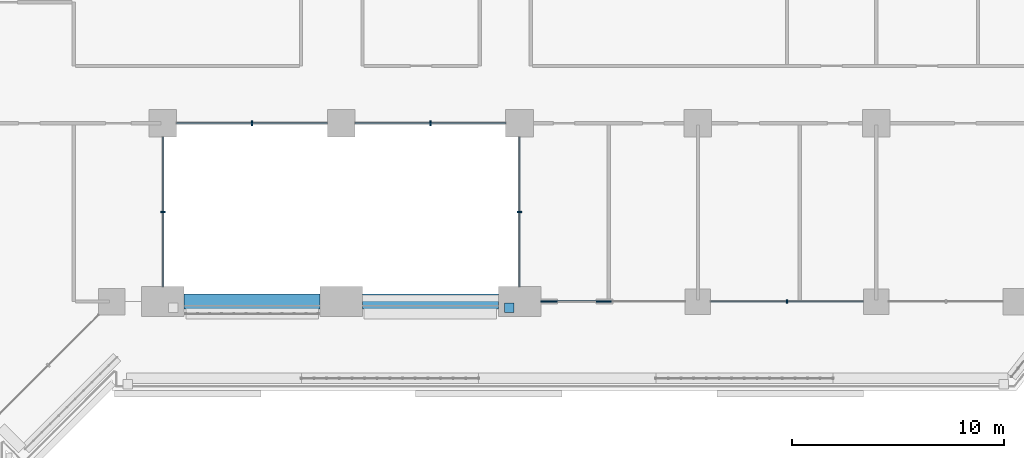
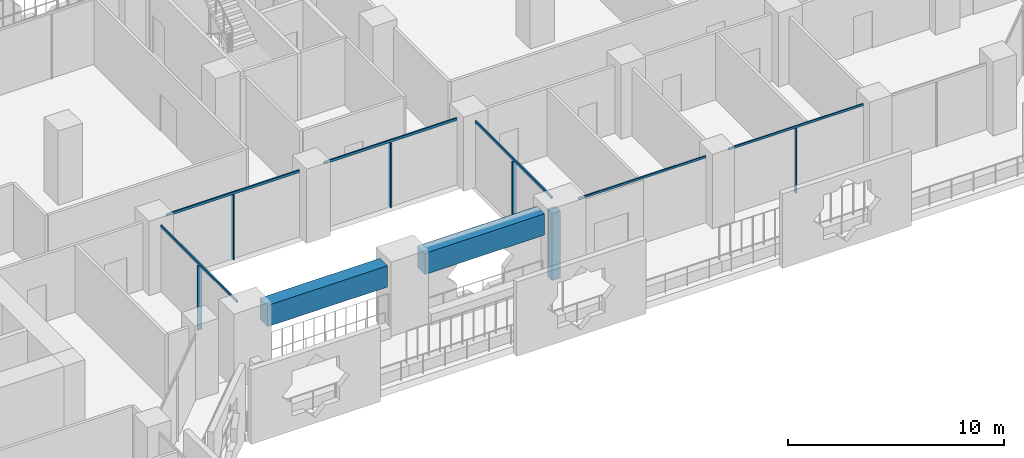
# One storey, part 5 of 28: 12 members, 2 beams, 5 elements without a shape of their own.
"""IFC4 building model written with IfcOpenShell, lengths in metres."""

from ifc_helpers import new_model, si_unit, direction, frame, origin, origin_2d, place, context, subcontext, project, spatial, rectangle, extrude, material, layer, layer_set, material_profile, profile_set, type_object, element, aggregate, save


model = new_model("IFC4")

# Units and contexts
model_context = context("Model", 3, precision=1e-05, world=origin(), true_north=direction((0.0, 1.0)))
body_context = subcontext(model_context, "Body", "Model", "MODEL_VIEW")
ifc_project = project(units=[si_unit("LENGTHUNIT", "METRE"), si_unit("AREAUNIT", "SQUARE_METRE"), si_unit("VOLUMEUNIT", "CUBIC_METRE"), si_unit("PLANEANGLEUNIT", "RADIAN"), si_unit("MASSUNIT", "GRAM", prefix="KILO")], contexts=[model_context])

# Site, building, storey
site_placement = place(None, origin())
site = spatial("IfcSite", under=ifc_project, at=site_placement, CompositionType="ELEMENT")
building_placement = place(site_placement, origin())
building = spatial("IfcBuilding", under=site, at=building_placement, Name="Kawkab Arch Medical Tower", CompositionType="ELEMENT")
storey_placement = place(building_placement, frame((0.0, 0.0, 47.60009765625)))
storey = spatial("IfcBuildingStorey", under=building, at=storey_placement, Name="L10", CompositionType="ELEMENT", Elevation=47.60009765625)

# Curtain wall, members
ifc_material_1 = material(Name="Bronze anodised aluminium curtain wall frame", Category="aluminium")
ifc_layer_1 = layer(ifc_material_1, 0.159912109375)
ifc_layer_set_1 = layer_set([ifc_layer_1], Name="Bronze anodised aluminium curtain wall frame")
curtain_wall_type_1 = type_object("IfcCurtainWallType", Name="CW1 ward curtain wall", PredefinedType="NOTDEFINED", material=ifc_layer_set_1)
placement = place(storey_placement, origin())
curtain_wall_1 = element("IfcCurtainWall", 1, at=placement, inside=storey, type_object=curtain_wall_type_1, Name="CW1 Ward curtain wall R05", PredefinedType="NOTDEFINED")
ifc_material_2 = material(Name="Bronze anodised aluminium curtain wall frame", Category="aluminium")
ifc_material_profile_1 = material_profile(ifc_material_2, rectangle(XDim=0.179931640625, YDim=0.06005859375, at=origin_2d()), Name="AL 60x180")
ifc_profile_set_1 = profile_set([ifc_material_profile_1], Name="Bronze anodised aluminium curtain wall frame")
member_type_1 = type_object("IfcMemberType", Name="CW1 mullion 60 x 180", PredefinedType="MULLION", material=ifc_profile_set_1)
member_1_placement = place(storey_placement, frame((63.0, -25.199951171875, 0.0), z_axis=(0.0, 0.0, 1.0), x_axis=(0.0, 1.0, 0.0)))
member_1 = element("IfcMember", 2, at=member_1_placement, type_object=member_type_1, Name="CW1 mullion 2.1", PredefinedType="MULLION", context=body_context, shape_type="SweptSolid", body=[
    extrude(rectangle(XDim=0.179931640625, YDim=0.06005859375, at=origin_2d()), origin(), (0.0, 0.0, 1.0), 3.659912109375),
])
ifc_material_3 = material(Name="Bronze anodised aluminium curtain wall frame", Category="aluminium")
ifc_material_profile_2 = material_profile(ifc_material_3, rectangle(XDim=0.06005859375, YDim=0.1201171875, at=origin_2d()), Name="AL 60x120")
ifc_profile_set_2 = profile_set([ifc_material_profile_2], Name="Bronze anodised aluminium curtain wall frame")
member_type_2 = type_object("IfcMemberType", Name="CW1 transom 120 x 60", PredefinedType="USERDEFINED", material=ifc_profile_set_2)
member_2_placement = place(storey_placement, frame((51.39990234375, -25.199951171875, 3.719970703125), z_axis=(1.0, 0.0, 0.0), x_axis=(0.0, 1.0, 0.0)))
member_2 = element("IfcMember", 3, at=member_2_placement, type_object=member_type_2, Name="CW1 transom 1", ObjectType="TRANSOM", PredefinedType="USERDEFINED", context=body_context, shape_type="SweptSolid", body=[
    extrude(rectangle(XDim=0.06005859375, YDim=0.1201171875, at=origin_2d()), origin(), (0.0, 0.0, 1.0), 6.800048828125),
])
member_3_placement = place(storey_placement, frame((59.39990234375, -25.199951171875, 3.719970703125), z_axis=(1.0, 0.0, 0.0), x_axis=(0.0, 1.0, 0.0)))
member_3 = element("IfcMember", 4, at=member_3_placement, type_object=member_type_2, Name="CW1 transom 2", ObjectType="TRANSOM", PredefinedType="USERDEFINED", context=body_context, shape_type="SweptSolid", body=[
    extrude(rectangle(XDim=0.06005859375, YDim=0.1201171875, at=origin_2d()), origin(), (0.0, 0.0, 1.0), 7.2001953125),
])
aggregate(curtain_wall_1, [member_2, member_3, member_1])

# Curtain wall, member
ifc_material_4 = material(Name="Bronze anodised aluminium curtain wall frame", Category="aluminium")
ifc_layer_2 = layer(ifc_material_4, 0.159912109375)
ifc_layer_set_2 = layer_set([ifc_layer_2], Name="Bronze anodised aluminium curtain wall frame")
curtain_wall_type_2 = type_object("IfcCurtainWallType", Name="CW3 sky garden curtain wall", PredefinedType="NOTDEFINED", material=ifc_layer_set_2)
curtain_wall_2 = element("IfcCurtainWall", 5, at=placement, inside=storey, type_object=curtain_wall_type_2, Name="CW3 Sky garden curtain wall R02", PredefinedType="NOTDEFINED")
ifc_material_5 = material(Name="Bronze anodised aluminium curtain wall frame", Category="aluminium")
ifc_material_profile_3 = material_profile(ifc_material_5, rectangle(XDim=0.219970703125, YDim=0.070068359375, at=origin_2d()), Name="AL 70x220")
ifc_profile_set_3 = profile_set([ifc_material_profile_3], Name="Bronze anodised aluminium curtain wall frame")
member_type_3 = type_object("IfcMemberType", Name="CW3 mullion 70 x 220", PredefinedType="MULLION", material=ifc_profile_set_3)
member_4_placement = place(storey_placement, frame((33.60009765625, -20.97509765625, 0.0), z_axis=(0.0, 0.0, 1.0), x_axis=(-1.0, 0.0, 0.0)))
member_4 = element("IfcMember", 6, at=member_4_placement, type_object=member_type_3, Name="CW3 mullion 1.1", PredefinedType="MULLION", context=body_context, shape_type="SweptSolid", body=[
    extrude(rectangle(XDim=0.219970703125, YDim=0.070068359375, at=origin_2d()), origin(), (0.0, 0.0, 1.0), 3.639892578125),
])

# Curtain wall, members
curtain_wall_3 = element("IfcCurtainWall", 7, at=placement, inside=storey, type_object=curtain_wall_type_2, Name="CW3 Sky garden curtain wall R03", PredefinedType="NOTDEFINED")
member_5_placement = place(storey_placement, frame((37.800048828125, -16.800048828125, 0.0), z_axis=(0.0, 0.0, 1.0), x_axis=(0.0, 1.0, 0.0)))
member_5 = element("IfcMember", 8, at=member_5_placement, type_object=member_type_3, Name="CW3 mullion 1.1", PredefinedType="MULLION", context=body_context, shape_type="SweptSolid", body=[
    extrude(rectangle(XDim=0.219970703125, YDim=0.070068359375, at=origin_2d()), origin(), (0.0, 0.0, 1.0), 3.639892578125),
])
member_6_placement = place(storey_placement, frame((46.199951171875, -16.800048828125, 0.0), z_axis=(0.0, 0.0, 1.0), x_axis=(0.0, 1.0, 0.0)))
member_6 = element("IfcMember", 9, at=member_6_placement, type_object=member_type_3, Name="CW3 mullion 2.1", PredefinedType="MULLION", context=body_context, shape_type="SweptSolid", body=[
    extrude(rectangle(XDim=0.219970703125, YDim=0.070068359375, at=origin_2d()), origin(), (0.0, 0.0, 1.0), 3.639892578125),
])

# Curtain wall, member
curtain_wall_4 = element("IfcCurtainWall", 10, at=placement, inside=storey, type_object=curtain_wall_type_2, Name="CW3 Sky garden curtain wall R04", PredefinedType="NOTDEFINED")
member_7_placement = place(storey_placement, frame((50.39990234375, -20.97509765625, 0.0), z_axis=(0.0, 0.0, 1.0), x_axis=(1.0, 0.0, 0.0)))
member_7 = element("IfcMember", 11, at=member_7_placement, type_object=member_type_3, Name="CW3 mullion 1.1", PredefinedType="MULLION", context=body_context, shape_type="SweptSolid", body=[
    extrude(rectangle(XDim=0.219970703125, YDim=0.070068359375, at=origin_2d()), origin(), (0.0, 0.0, 1.0), 3.639892578125),
])

# Member
ifc_material_6 = material(Name="Bronze anodised aluminium curtain wall frame", Category="aluminium")
ifc_material_profile_4 = material_profile(ifc_material_6, rectangle(XDim=0.070068359375, YDim=0.139892578125, at=origin_2d()), Name="AL 70x140")
ifc_profile_set_4 = profile_set([ifc_material_profile_4], Name="Bronze anodised aluminium curtain wall frame")
member_type_4 = type_object("IfcMemberType", Name="CW3 transom 140 x 70", PredefinedType="USERDEFINED", material=ifc_profile_set_4)
member_8_placement = place(storey_placement, frame((33.60009765625, -24.5, 3.7099609375), z_axis=(0.0, 1.0, 0.0), x_axis=(-1.0, 0.0, 0.0)))
member_8 = element("IfcMember", 12, at=member_8_placement, type_object=member_type_4, Name="CW3 transom 1", ObjectType="TRANSOM", PredefinedType="USERDEFINED", context=body_context, shape_type="SweptSolid", body=[
    extrude(rectangle(XDim=0.070068359375, YDim=0.139892578125, at=origin_2d()), origin(), (0.0, 0.0, 1.0), 7.050048828125),
])

aggregate(curtain_wall_2, [member_8, member_4])

member_9_placement = place(storey_placement, frame((34.25, -16.800048828125, 3.7099609375), z_axis=(1.0, 0.0, 0.0), x_axis=(0.0, 1.0, 0.0)))
member_9 = element("IfcMember", 13, at=member_9_placement, type_object=member_type_4, Name="CW3 transom 1", ObjectType="TRANSOM", PredefinedType="USERDEFINED", context=body_context, shape_type="SweptSolid", body=[
    extrude(rectangle(XDim=0.070068359375, YDim=0.139892578125, at=origin_2d()), origin(), (0.0, 0.0, 1.0), 7.10009765625),
])

member_10_placement = place(storey_placement, frame((42.64990234375, -16.800048828125, 3.7099609375), z_axis=(1.0, 0.0, 0.0), x_axis=(0.0, 1.0, 0.0)))
member_10 = element("IfcMember", 14, at=member_10_placement, type_object=member_type_4, Name="CW3 transom 2", ObjectType="TRANSOM", PredefinedType="USERDEFINED", context=body_context, shape_type="SweptSolid", body=[
    extrude(rectangle(XDim=0.070068359375, YDim=0.139892578125, at=origin_2d()), origin(), (0.0, 0.0, 1.0), 7.10009765625),
])

aggregate(curtain_wall_3, [member_9, member_5, member_10, member_6])

member_11_placement = place(storey_placement, frame((50.39990234375, -17.449951171875, 3.7099609375), z_axis=(0.0, -1.0, 0.0), x_axis=(1.0, 0.0, 0.0)))
member_11 = element("IfcMember", 15, at=member_11_placement, type_object=member_type_4, Name="CW3 transom 1", ObjectType="TRANSOM", PredefinedType="USERDEFINED", context=body_context, shape_type="SweptSolid", body=[
    extrude(rectangle(XDim=0.070068359375, YDim=0.139892578125, at=origin_2d()), origin(), (0.0, 0.0, 1.0), 7.050048828125),
])

aggregate(curtain_wall_4, [member_11, member_7])

# Curtain wall, member
ifc_material_7 = material(Name="Bronze anodised aluminium climber frame, planted", Category="aluminium")
ifc_layer_3 = layer(ifc_material_7, 0.449951171875)
ifc_layer_set_3 = layer_set([ifc_layer_3], Name="Bronze anodised aluminium climber frame, planted")
curtain_wall_type_3 = type_object("IfcCurtainWallType", Name="Planted climber frame", PredefinedType="NOTDEFINED", material=ifc_layer_set_3)
curtain_wall_5 = element("IfcCurtainWall", 16, at=placement, inside=storey, type_object=curtain_wall_type_3, Name="Planted climber frame L10", PredefinedType="NOTDEFINED")
ifc_material_8 = material(Name="Bronze anodised aluminium climber frame, planted", Category="aluminium")
ifc_material_profile_5 = material_profile(ifc_material_8, rectangle(XDim=0.449951171875, YDim=0.449951171875, at=origin_2d()), Name="Post 450x450")
ifc_profile_set_5 = profile_set([ifc_material_profile_5], Name="Bronze anodised aluminium climber frame, planted")
member_type_5 = type_object("IfcMemberType", Name="Planted climber post 450 x 450", PredefinedType="MULLION", material=ifc_profile_set_5)
member_12_placement = place(storey_placement, frame((49.919921875, -25.5, 0.0), z_axis=(0.0, 0.0, 1.0), x_axis=(1.0, 0.0, 0.0)))
member_12 = element("IfcMember", 17, at=member_12_placement, type_object=member_type_5, Name="Planted climber post L10.LOG-01-01.2", PredefinedType="MULLION", context=body_context, shape_type="SweptSolid", body=[
    extrude(rectangle(XDim=0.449951171875, YDim=0.449951171875, at=origin_2d()), origin(), (0.0, 0.0, 1.0), 3.7998046875),
])
aggregate(curtain_wall_5, [member_12])

# Beams
ifc_material_9 = material(Name="Concrete C60/75", Category="concrete")
ifc_material_profile_6 = material_profile(ifc_material_9, rectangle(XDim=0.699951171875, YDim=1.199951171875, at=origin_2d()), Name="RC 700x1200")
ifc_profile_set_6 = profile_set([ifc_material_profile_6], Name="Concrete C60/75")
beam_type = type_object("IfcBeamType", Name="RC 700x1200 beam C60/75", PredefinedType="BEAM", material=ifc_profile_set_6)
for number, where, z_axis, x_axis, name in (
    (18, (49.39990234375, -25.199951171875, 3.179931640625), (-1.0, 0.0, 0.0), (0.0, -1.0, 0.0), "Terrace frame beam TF-L08-1-L11-01"),
    (19, (41.0, -25.199951171875, 3.179931640625), (-1.0, 0.0, 0.0), (0.0, -1.0, 0.0), "Terrace frame beam TF-L08-1-L11-02"),
):
    element("IfcBeam", number, at=place(storey_placement, frame(where, z_axis=z_axis, x_axis=x_axis)), inside=storey, type_object=beam_type, Name=name, PredefinedType="BEAM", context=body_context, shape_type="SweptSolid", body=[
        extrude(rectangle(XDim=0.699951171875, YDim=1.199951171875, at=origin_2d()), origin(), (0.0, 0.0, 1.0), 6.39990234375),
    ])

save(model, "model.ifc")
